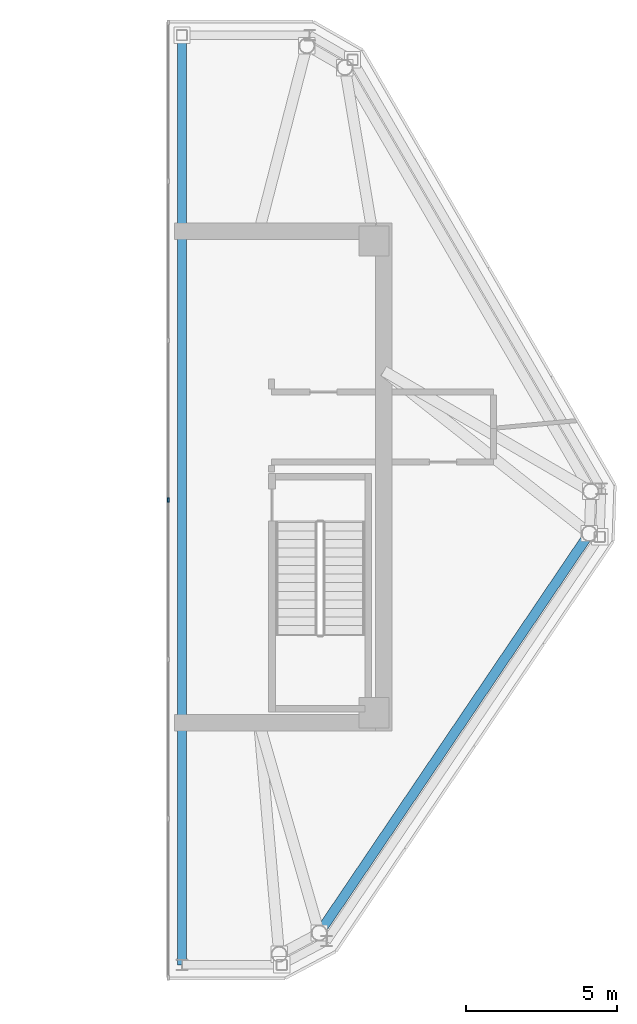
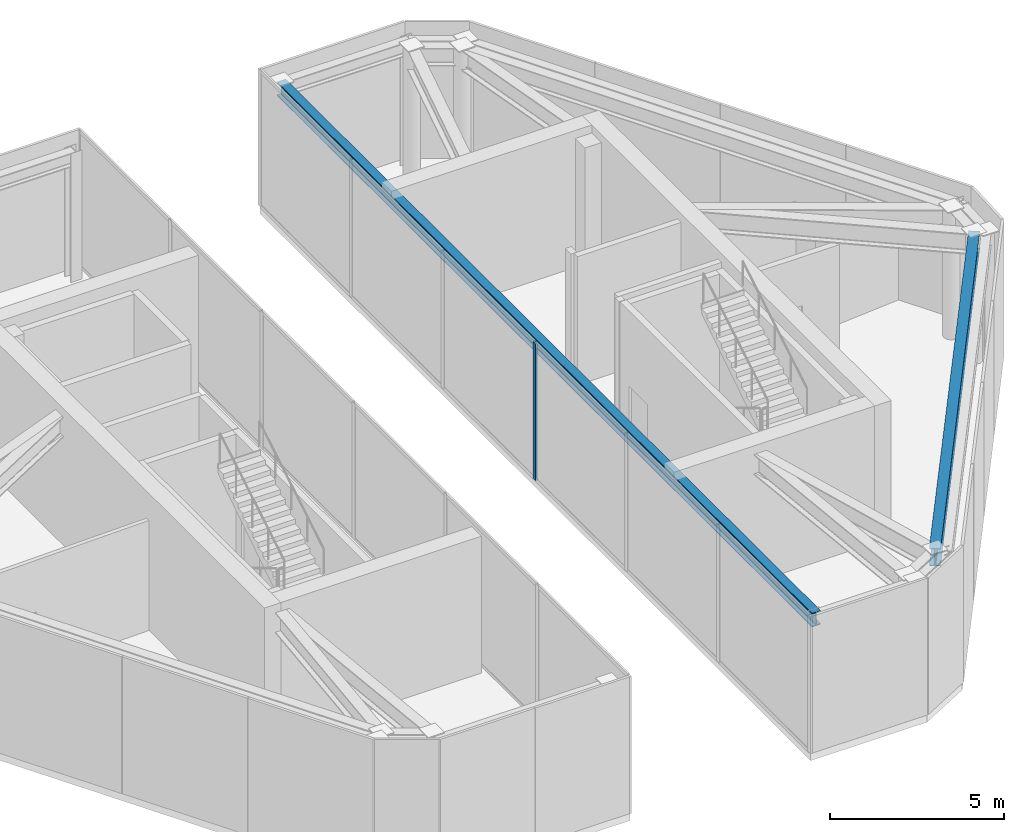
# One storey, part 3 of 8: 2 beams, 1 member, 1 element without a shape of its own.
"""IFC4 building model written with IfcOpenShell, lengths in metres."""

from ifc_helpers import new_model, si_unit, direction, frame, origin, origin_2d, place, context, subcontext, project, spatial, rectangle, i_section, extrude, source, transform, mapped, material, layer, layer_set, material_profile, profile_set, type_object, type_shapes, element, aggregate, save


model = new_model("IFC4")

# Units and contexts
model_context = context("Model", 3, precision=1e-05, world=origin(), true_north=direction((0.0, 1.0)))
body_context = subcontext(model_context, "Body", "Model", "MODEL_VIEW")
ifc_project = project(units=[si_unit("LENGTHUNIT", "METRE"), si_unit("AREAUNIT", "SQUARE_METRE"), si_unit("VOLUMEUNIT", "CUBIC_METRE"), si_unit("PLANEANGLEUNIT", "RADIAN"), si_unit("MASSUNIT", "GRAM", prefix="KILO")], contexts=[model_context])

# Site, building, storey
site_placement = place(None, origin())
site = spatial("IfcSite", under=ifc_project, at=site_placement, CompositionType="ELEMENT")
building_placement = place(site_placement, origin())
building = spatial("IfcBuilding", under=site, at=building_placement, Name="Durnholm Broadcast Tower", CompositionType="ELEMENT")
storey_placement = place(building_placement, frame((0.0, 0.0, 277.300048828125)))
storey = spatial("IfcBuildingStorey", under=building, at=storey_placement, Name="L77", CompositionType="ELEMENT", Elevation=277.300048828125)

# Beams
ifc_material_1 = material(Name="Steel ASTM A992 Grade 50", Category="steel")
ifc_material_profile_1 = material_profile(ifc_material_1, i_section(OverallWidth=0.3251953125, OverallDepth=0.6162109375, WebThickness=0.013916015625, FlangeThickness=0.021484375, FilletRadius=0.02783203125, at=origin_2d()), Name="W24X117")
ifc_profile_set_1 = profile_set([ifc_material_profile_1], Name="Steel ASTM A992 Grade 50")
beam_type_1 = type_object("IfcBeamType", Name="STL-SP-W24X117", PredefinedType="SPANDREL", material=ifc_profile_set_1)
shared_shape_1 = source(origin(), body_context, "Body", "SweptSolid", [
    extrude(i_section(OverallWidth=0.3251953125, OverallDepth=0.6162109375, WebThickness=0.013916015625, FlangeThickness=0.021484375, FilletRadius=0.02783203125, at=origin_2d()), origin(), (0.0, 0.0, 1.0), 15.947265625),
])
type_shapes(beam_type_1, [shared_shape_1])
beam_1_placement = place(storey_placement, frame((16.92236328125, -1.869873046875, 4.19677734375), z_axis=(-0.560062212489, -0.828450552623, 0.0), x_axis=(0.828450552623, -0.560062212489, 0.0)))
element("IfcBeam", 1, at=beam_1_placement, inside=storey, type_object=beam_type_1, Name="L77 perimeter spandrel girder 09", PredefinedType="SPANDREL", context=body_context, shape_type="MappedRepresentation", body=[
    mapped(shared_shape_1, transform((0.0, 0.0, 0.0), x_axis=(1.0, 0.0, 0.0), y_axis=(0.0, 1.0, 0.0), z_axis=(0.0, 0.0, 1.0), scale=1.0)),
])
ifc_material_profile_2 = material_profile(ifc_material_1, i_section(OverallWidth=0.2861328125, OverallDepth=0.481689453125, WebThickness=0.0166015625, FlangeThickness=0.02685546875, FilletRadius=0.02294921875, at=origin_2d()), Name="W18X119")
ifc_profile_set_2 = profile_set([ifc_material_profile_2], Name="Steel ASTM A992 Grade 50")
beam_type_2 = type_object("IfcBeamType", Name="STL-BM-W18X119", PredefinedType="BEAM", material=ifc_profile_set_2)
shared_shape_2 = source(origin(), body_context, "Body", "SweptSolid", [
    extrude(i_section(OverallWidth=0.2861328125, OverallDepth=0.481689453125, WebThickness=0.0166015625, FlangeThickness=0.02685546875, FilletRadius=0.02294921875, at=origin_2d()), origin(), (0.0, 0.0, 1.0), 30.748046875),
])
type_shapes(beam_type_2, [shared_shape_2])
beam_2_placement = place(storey_placement, frame((3.449951171875, 14.612060546875, 4.26416015625), z_axis=(0.0, -1.0, 0.0), x_axis=(1.0, 0.0, 0.0)))
element("IfcBeam", 2, at=beam_2_placement, inside=storey, type_object=beam_type_2, Name="L77 E split-crown frame ring beam 1", PredefinedType="SPANDREL", context=body_context, shape_type="MappedRepresentation", body=[
    mapped(shared_shape_2, transform((0.0, 0.0, 0.0), x_axis=(1.0, 0.0, 0.0), y_axis=(0.0, 1.0, 0.0), z_axis=(0.0, 0.0, 1.0), scale=1.0)),
])

# Curtain wall, member
ifc_material_2 = material(Name="Aluminium and Solar Control IGU", Category="aluminium")
ifc_layer = layer(ifc_material_2, 0.1650390625)
ifc_layer_set = layer_set([ifc_layer], Name="Aluminium and Solar Control IGU")
curtain_wall_type = type_object("IfcCurtainWallType", Name="CW-SYS-7", PredefinedType="NOTDEFINED", material=ifc_layer_set)
curtain_wall_placement = place(storey_placement, origin())
curtain_wall = element("IfcCurtainWall", 3, at=curtain_wall_placement, inside=storey, type_object=curtain_wall_type, Name="L77 curtain wall CW-CROWN CW-L77-E-7", PredefinedType="NOTDEFINED")
ifc_material_3 = material(Name="Aluminium 6063-T6", Category="aluminium")
ifc_material_profile_3 = material_profile(ifc_material_3, rectangle(XDim=0.06494140625, YDim=0.1650390625, at=origin_2d()), Name="CWM65X165")
ifc_profile_set_3 = profile_set([ifc_material_profile_3], Name="Aluminium 6063-T6")
member_type = type_object("IfcMemberType", Name="CW-SYS-7-MUL", PredefinedType="MULLION", material=ifc_profile_set_3)
shared_shape_3 = source(origin(), body_context, "Body", "SweptSolid", [
    extrude(rectangle(XDim=0.06494140625, YDim=0.1650390625, at=origin_2d()), origin(), (0.0, 0.0, 1.0), 4.800048828125),
])
type_shapes(member_type, [shared_shape_3])
member_placement = place(storey_placement, frame((3.0, -0.761962890625, 0.0), z_axis=(0.0, 0.0, 1.0), x_axis=(-1.0, 0.0, 0.0)))
member = element("IfcMember", 4, at=member_placement, type_object=member_type, Name="CW-CROWN mullion 4", PredefinedType="MULLION", context=body_context, shape_type="MappedRepresentation", body=[
    mapped(shared_shape_3, transform((0.0, 0.0, 0.0), x_axis=(1.0, 0.0, 0.0), y_axis=(0.0, 1.0, 0.0), z_axis=(0.0, 0.0, 1.0), scale=1.0)),
])
aggregate(curtain_wall, [member])

save(model, "model.ifc")
